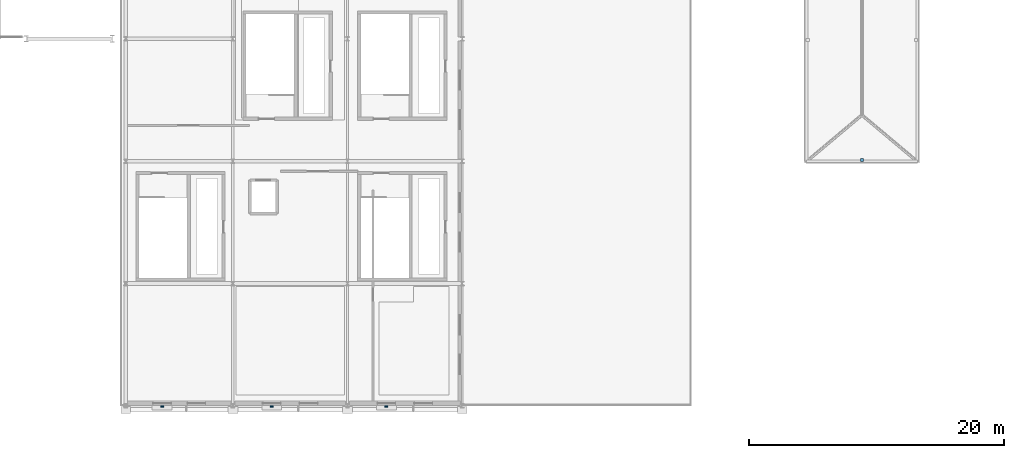
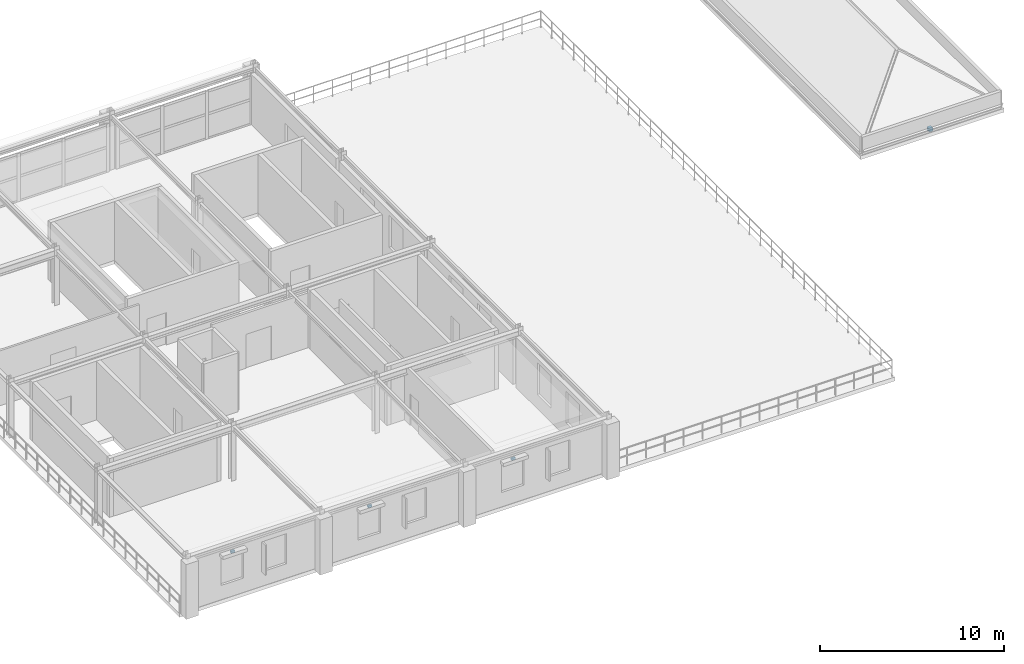
# One storey, part 41 of 52: 4 discrete accessories.
"""IFC4 building model written with IfcOpenShell, lengths in metres."""

import ifcopenshell
import ifcopenshell.guid

model = None  # the IFC model being written
_history = None  # IfcOwnerHistory: only IFC2X3 demands one
_inside = {}  # id of a spatial element -> (the spatial element, [elements in it])
_under = {}  # id of a project, library or spatial element -> (it, [spatial elements below it])
_declared = {}  # id of a project -> (the project, [libraries it declares])
_typed = {}  # id of a type object -> (the type object, [elements of that type])
_made_of = {}  # id of a material, layer set ... -> (it, [elements and type objects made of it])


def new_model(schema):
    """Start an empty IFC model of exactly this schema.

    Asked for "IFC4X3", IfcOpenShell would pick the latest addendum, in which some entities
    have other attributes; the version numbers below select the first issue.
    IFC2X3 requires an IfcOwnerHistory on every rooted entity: one is made here for all.
    """
    global model, _history
    if schema == "IFC4X3":
        model = ifcopenshell.file(schema_version=(4, 3, 0, 0))
    else:
        model = ifcopenshell.file(schema=schema)
    _inside.clear()
    _under.clear()
    _declared.clear()
    _typed.clear()
    _made_of.clear()
    _history = None
    if model.schema == "IFC2X3":
        org = make("IfcOrganization", Name="unknown")
        user = make(
            "IfcPersonAndOrganization",
            ThePerson=make("IfcPerson", FamilyName="unknown"),
            TheOrganization=org,
        )
        app = make(
            "IfcApplication",
            ApplicationDeveloper=org,
            Version="unknown",
            ApplicationFullName="unknown",
            ApplicationIdentifier="unknown",
        )
        _history = make(
            "IfcOwnerHistory",
            OwningUser=user,
            OwningApplication=app,
            ChangeAction="ADDED",
            CreationDate=0,
        )
    return model


def make(cls, **values):
    """One entity of the class cls with the attributes given. An attribute that is None is left unset."""
    return model.create_entity(
        cls, **{name: value for name, value in values.items() if value is not None}
    )


def rooted(cls, **values):
    """An entity with a GlobalId (a new one), such as an element, a storey or a relation."""
    return make(cls, GlobalId=ifcopenshell.guid.new(), OwnerHistory=_history, **values)


def si_unit(unit_type, name, prefix=None):
    """IfcSIUnit, for example si_unit("LENGTHUNIT", "METRE", prefix="MILLI")."""
    return make("IfcSIUnit", UnitType=unit_type, Prefix=prefix, Name=name)


def assignment(units):
    """IfcUnitAssignment: the units of a project."""
    return None if units is None else make("IfcUnitAssignment", Units=units)


def point(xyz):
    """IfcCartesianPoint."""
    return None if xyz is None else make("IfcCartesianPoint", Coordinates=xyz)


def direction(xyz):
    """IfcDirection."""
    return None if xyz is None else make("IfcDirection", DirectionRatios=xyz)


def frame(location, z_axis=None, x_axis=None):
    """IfcAxis2Placement3D, a coordinate frame: its origin and axes. An axis left out is left unset."""
    return make(
        "IfcAxis2Placement3D",
        Location=point(location),
        Axis=direction(z_axis),
        RefDirection=direction(x_axis),
    )


def frame_2d(location, x_axis=None):
    """IfcAxis2Placement2D, a coordinate frame in the plane: its origin and x axis."""
    return make(
        "IfcAxis2Placement2D", Location=point(location), RefDirection=direction(x_axis)
    )


def origin():
    """The frame at (0, 0, 0) with its axes left unset."""
    return frame((0.0, 0.0, 0.0))


def origin_2d():
    """The frame at (0, 0) in the plane with its x axis left unset."""
    return frame_2d((0.0, 0.0))


def place(relative_to, where):
    """IfcLocalPlacement: puts the frame where relative to a parent placement (None: the world)."""
    return make(
        "IfcLocalPlacement", PlacementRelTo=relative_to, RelativePlacement=where
    )


def context(
    kind, dimensions, precision=None, world=None, true_north=None, identifier=None
):
    """IfcGeometricRepresentationContext, for example the 3D "Model" context."""
    return make(
        "IfcGeometricRepresentationContext",
        ContextIdentifier=identifier,
        ContextType=kind,
        CoordinateSpaceDimension=dimensions,
        Precision=precision,
        WorldCoordinateSystem=world,
        TrueNorth=true_north,
    )


def subcontext(parent, identifier, kind, view, scale=None):
    """IfcGeometricRepresentationSubContext, for example "Body" below "Model"."""
    return make(
        "IfcGeometricRepresentationSubContext",
        ContextIdentifier=identifier,
        ContextType=kind,
        ParentContext=parent,
        TargetScale=scale,
        TargetView=view,
    )


def project(units=None, contexts=None):
    """IfcProject with its units and contexts."""
    return rooted(
        "IfcProject",
        Name="project",
        RepresentationContexts=contexts,
        UnitsInContext=assignment(units),
    )


def spatial(cls, under=None, at=None, **own):
    """A site, building, storey or space (cls), placed at a placement, below another one or the project."""
    s = rooted(cls, ObjectPlacement=at, **own)
    if under is not None:
        _under.setdefault(under.id(), (under, []))[1].append(s)
    return s


def profile(cls, at=None, kind="AREA", **sizes):
    """A parametric profile (cls). Its sizes go by their IFC names, for example OverallWidth=200.0."""
    return make(cls, ProfileType=kind, Position=at, **sizes)


def rectangle(**sizes):
    """IfcRectangleProfileDef."""
    return profile("IfcRectangleProfileDef", **sizes)


def extrude(swept, where, along, depth):
    """IfcExtrudedAreaSolid: the profile swept, set in the frame where, extruded along a direction by depth."""
    return make(
        "IfcExtrudedAreaSolid",
        SweptArea=swept,
        Position=where,
        ExtrudedDirection=direction(along),
        Depth=depth,
    )


def shape(context_of_items, identifier, shape_type, items):
    """IfcShapeRepresentation: the items that make up one representation, for example the "Body"."""
    return make(
        "IfcShapeRepresentation",
        ContextOfItems=context_of_items,
        RepresentationIdentifier=identifier,
        RepresentationType=shape_type,
        Items=items,
    )


def material(Name=None, Category=None):
    """IfcMaterial."""
    return make("IfcMaterial", Name=Name, Category=Category)


def made_of(thing, what):
    """Note that an element or type object is made of a material, layer set ...; save() writes the relation."""
    if what is not None:
        _made_of.setdefault(what.id(), (what, []))[1].append(thing)
    return thing


def type_object(cls, material=None, **own):
    """A type object (cls), such as IfcWallType, which elements share."""
    return made_of(rooted(cls, **own), material)


def element(
    cls,
    number,
    at=None,
    inside=None,
    cuts=None,
    type_object=None,
    material=None,
    context=None,
    identifier="Body",
    shape_type=None,
    held_by="IfcProductDefinitionShape",
    body=None,
    shapes=None,
    **own,
):
    """One element of the class cls, such as IfcWall. Its Tag is "e" and its number.

    at: its placement. inside: the storey or other place that contains it. cuts: it is an
    opening in that element (IfcRelVoidsElement). A single representation is given by context,
    identifier, shape_type and body (its items); several are given by shapes. held_by: the class
    of the entity that holds the representations. save() writes the other relations.
    """
    e = rooted(cls, Tag="e%d" % number, ObjectPlacement=at, **own)
    if body is not None:
        shapes = [shape(context, identifier, shape_type, body)]
    if shapes is not None:
        e.Representation = make(held_by, Representations=shapes)
    if inside is not None:
        _inside.setdefault(inside.id(), (inside, []))[1].append(e)
    if cuts is not None:
        rooted(
            "IfcRelVoidsElement", RelatingBuildingElement=cuts, RelatedOpeningElement=e
        )
    if type_object is not None:
        _typed.setdefault(type_object.id(), (type_object, []))[1].append(e)
    return made_of(e, material)


def aggregate(whole, parts):
    """IfcRelAggregates: a whole, such as a stair, and the parts it consists of."""
    return rooted("IfcRelAggregates", RelatingObject=whole, RelatedObjects=parts)


def save(model, path):
    """Write the relations noted so far, then the file.

    IfcRelAggregates (storeys below a building ...), IfcRelContainedInSpatialStructure (elements
    in a storey), IfcRelDefinesByType, IfcRelAssociatesMaterial and IfcRelDeclares: one each for
    every whole, place, type object, material and project.
    """
    for whole, parts in _under.values():
        aggregate(whole, parts)
    for where, things in _inside.values():
        rooted(
            "IfcRelContainedInSpatialStructure",
            RelatedElements=things,
            RelatingStructure=where,
        )
    for kind, things in _typed.values():
        rooted("IfcRelDefinesByType", RelatedObjects=things, RelatingType=kind)
    for what, things in _made_of.values():
        rooted("IfcRelAssociatesMaterial", RelatedObjects=things, RelatingMaterial=what)
    for by, libraries in _declared.values():
        rooted("IfcRelDeclares", RelatingContext=by, RelatedDefinitions=libraries)
    model.write(path)


model = new_model("IFC4")

# Units and contexts
model_context = context("Model", 3, precision=1e-05, world=origin(), true_north=direction((0.0, 1.0)))
body_context = subcontext(model_context, "Body", "Model", "MODEL_VIEW")
ifc_project = project(units=[si_unit("LENGTHUNIT", "METRE"), si_unit("AREAUNIT", "SQUARE_METRE"), si_unit("VOLUMEUNIT", "CUBIC_METRE"), si_unit("PLANEANGLEUNIT", "RADIAN"), si_unit("MASSUNIT", "GRAM", prefix="KILO")], contexts=[model_context])

# Site, building, storey
site_placement = place(None, origin())
site = spatial("IfcSite", under=ifc_project, at=site_placement, CompositionType="ELEMENT")
building_placement = place(site_placement, origin())
building = spatial("IfcBuilding", under=site, at=building_placement, Name="Myrtia Square Station", CompositionType="ELEMENT")
storey_placement = place(building_placement, frame((0.0, 0.0, 15.0)))
storey = spatial("IfcBuildingStorey", under=building, at=storey_placement, Name="L03", CompositionType="ELEMENT", Elevation=15.0)

# Discrete accessories
ifc_material = material(Name="Steel S355", Category="steel")
discrete_accessory_type_1 = type_object("IfcDiscreteAccessoryType", Name="ACC-BRACKET-BRONZE", PredefinedType="BRACKET", material=ifc_material)
for number, where, z_axis, x_axis, name in (
    (1, (120.451904296875, -0.030029296875, 2.93017578125), (0.0, 0.0, 1.0), (1.0, 0.0, 0.0), "Solar shading fixing bracket 024"),
    (2, (129.052001953125, -0.030029296875, 2.93017578125), (0.0, 0.0, 1.0), (1.0, 0.0, 0.0), "Solar shading fixing bracket 025"),
    (3, (138.052001953125, -0.030029296875, 2.93017578125), (0.0, 0.0, 1.0), (1.0, 0.0, 0.0), "Solar shading fixing bracket 026"),
):
    element("IfcDiscreteAccessory", number, at=place(storey_placement, frame(where, z_axis=z_axis, x_axis=x_axis)), inside=storey, type_object=discrete_accessory_type_1, Name=name, PredefinedType="BRACKET", context=body_context, shape_type="SweptSolid", body=[
        extrude(rectangle(XDim=0.239990234375, YDim=0.1201171875, at=origin_2d()), origin(), (0.0, 0.0, 1.0), 0.139892578125),
    ])
discrete_accessory_type_2 = type_object("IfcDiscreteAccessoryType", Name="ACC-HIP-SHOE", PredefinedType="BRACKET", material=ifc_material)
discrete_accessory_placement = place(storey_placement, frame((175.35009765625, 19.300048828125, -0.02978515625), z_axis=(0.0, 0.0, 1.0), x_axis=(1.0, 0.0, 0.0)))
element("IfcDiscreteAccessory", 4, at=discrete_accessory_placement, inside=storey, type_object=discrete_accessory_type_2, Name="Hipped roof eave shoe bracket HIP-V4BELV-S", PredefinedType="BRACKET", context=body_context, shape_type="SweptSolid", body=[
    extrude(rectangle(XDim=0.239990234375, YDim=0.239990234375, at=origin_2d()), origin(), (0.0, 0.0, 1.0), 0.219970703125),
])

save(model, "model.ifc")
